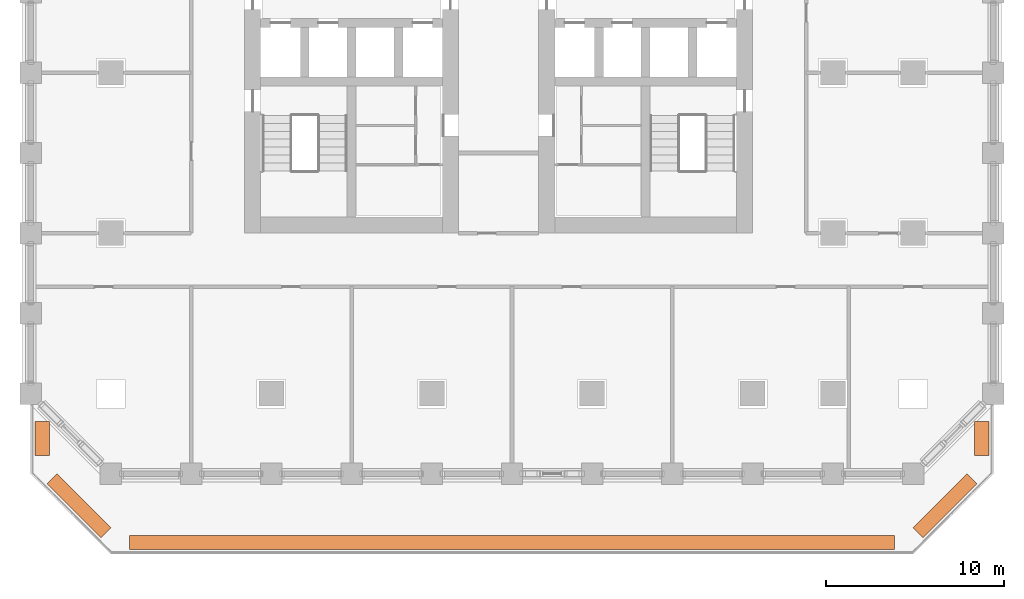
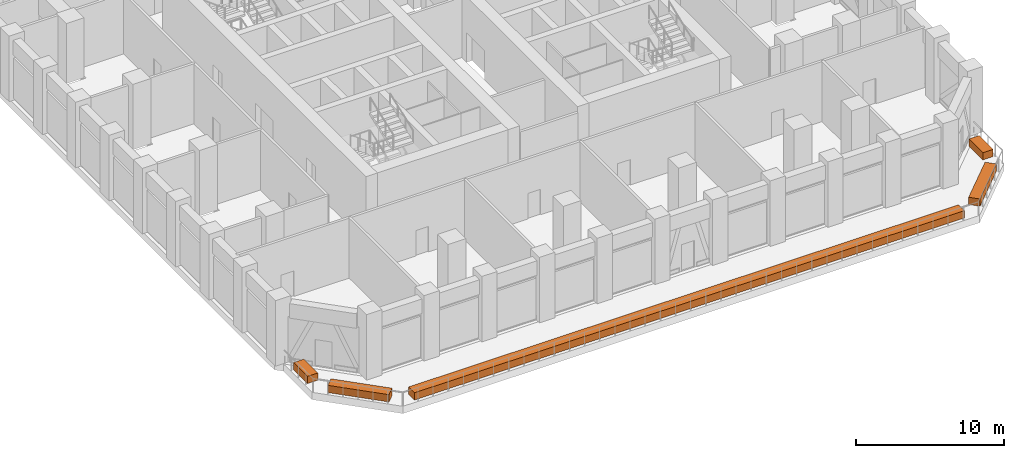
# One storey, part 20 of 20: 5 proxies.
"""IFC4 building model written with IfcOpenShell, lengths in metres."""

import ifcopenshell
import ifcopenshell.guid

model = None  # the IFC model being written
_history = None  # IfcOwnerHistory: only IFC2X3 demands one
_inside = {}  # id of a spatial element -> (the spatial element, [elements in it])
_under = {}  # id of a project, library or spatial element -> (it, [spatial elements below it])
_declared = {}  # id of a project -> (the project, [libraries it declares])
_typed = {}  # id of a type object -> (the type object, [elements of that type])
_made_of = {}  # id of a material, layer set ... -> (it, [elements and type objects made of it])


def new_model(schema):
    """Start an empty IFC model of exactly this schema.

    Asked for "IFC4X3", IfcOpenShell would pick the latest addendum, in which some entities
    have other attributes; the version numbers below select the first issue.
    IFC2X3 requires an IfcOwnerHistory on every rooted entity: one is made here for all.
    """
    global model, _history
    if schema == "IFC4X3":
        model = ifcopenshell.file(schema_version=(4, 3, 0, 0))
    else:
        model = ifcopenshell.file(schema=schema)
    _inside.clear()
    _under.clear()
    _declared.clear()
    _typed.clear()
    _made_of.clear()
    _history = None
    if model.schema == "IFC2X3":
        org = make("IfcOrganization", Name="unknown")
        user = make(
            "IfcPersonAndOrganization",
            ThePerson=make("IfcPerson", FamilyName="unknown"),
            TheOrganization=org,
        )
        app = make(
            "IfcApplication",
            ApplicationDeveloper=org,
            Version="unknown",
            ApplicationFullName="unknown",
            ApplicationIdentifier="unknown",
        )
        _history = make(
            "IfcOwnerHistory",
            OwningUser=user,
            OwningApplication=app,
            ChangeAction="ADDED",
            CreationDate=0,
        )
    return model


def make(cls, **values):
    """One entity of the class cls with the attributes given. An attribute that is None is left unset."""
    return model.create_entity(
        cls, **{name: value for name, value in values.items() if value is not None}
    )


def rooted(cls, **values):
    """An entity with a GlobalId (a new one), such as an element, a storey or a relation."""
    return make(cls, GlobalId=ifcopenshell.guid.new(), OwnerHistory=_history, **values)


def si_unit(unit_type, name, prefix=None):
    """IfcSIUnit, for example si_unit("LENGTHUNIT", "METRE", prefix="MILLI")."""
    return make("IfcSIUnit", UnitType=unit_type, Prefix=prefix, Name=name)


def assignment(units):
    """IfcUnitAssignment: the units of a project."""
    return None if units is None else make("IfcUnitAssignment", Units=units)


def point(xyz):
    """IfcCartesianPoint."""
    return None if xyz is None else make("IfcCartesianPoint", Coordinates=xyz)


def direction(xyz):
    """IfcDirection."""
    return None if xyz is None else make("IfcDirection", DirectionRatios=xyz)


def frame(location, z_axis=None, x_axis=None):
    """IfcAxis2Placement3D, a coordinate frame: its origin and axes. An axis left out is left unset."""
    return make(
        "IfcAxis2Placement3D",
        Location=point(location),
        Axis=direction(z_axis),
        RefDirection=direction(x_axis),
    )


def frame_2d(location, x_axis=None):
    """IfcAxis2Placement2D, a coordinate frame in the plane: its origin and x axis."""
    return make(
        "IfcAxis2Placement2D", Location=point(location), RefDirection=direction(x_axis)
    )


def origin():
    """The frame at (0, 0, 0) with its axes left unset."""
    return frame((0.0, 0.0, 0.0))


def origin_2d():
    """The frame at (0, 0) in the plane with its x axis left unset."""
    return frame_2d((0.0, 0.0))


def place(relative_to, where):
    """IfcLocalPlacement: puts the frame where relative to a parent placement (None: the world)."""
    return make(
        "IfcLocalPlacement", PlacementRelTo=relative_to, RelativePlacement=where
    )


def context(
    kind, dimensions, precision=None, world=None, true_north=None, identifier=None
):
    """IfcGeometricRepresentationContext, for example the 3D "Model" context."""
    return make(
        "IfcGeometricRepresentationContext",
        ContextIdentifier=identifier,
        ContextType=kind,
        CoordinateSpaceDimension=dimensions,
        Precision=precision,
        WorldCoordinateSystem=world,
        TrueNorth=true_north,
    )


def subcontext(parent, identifier, kind, view, scale=None):
    """IfcGeometricRepresentationSubContext, for example "Body" below "Model"."""
    return make(
        "IfcGeometricRepresentationSubContext",
        ContextIdentifier=identifier,
        ContextType=kind,
        ParentContext=parent,
        TargetScale=scale,
        TargetView=view,
    )


def project(units=None, contexts=None):
    """IfcProject with its units and contexts."""
    return rooted(
        "IfcProject",
        Name="project",
        RepresentationContexts=contexts,
        UnitsInContext=assignment(units),
    )


def spatial(cls, under=None, at=None, **own):
    """A site, building, storey or space (cls), placed at a placement, below another one or the project."""
    s = rooted(cls, ObjectPlacement=at, **own)
    if under is not None:
        _under.setdefault(under.id(), (under, []))[1].append(s)
    return s


def profile(cls, at=None, kind="AREA", **sizes):
    """A parametric profile (cls). Its sizes go by their IFC names, for example OverallWidth=200.0."""
    return make(cls, ProfileType=kind, Position=at, **sizes)


def rectangle(**sizes):
    """IfcRectangleProfileDef."""
    return profile("IfcRectangleProfileDef", **sizes)


def extrude(swept, where, along, depth):
    """IfcExtrudedAreaSolid: the profile swept, set in the frame where, extruded along a direction by depth."""
    return make(
        "IfcExtrudedAreaSolid",
        SweptArea=swept,
        Position=where,
        ExtrudedDirection=direction(along),
        Depth=depth,
    )


def shape(context_of_items, identifier, shape_type, items):
    """IfcShapeRepresentation: the items that make up one representation, for example the "Body"."""
    return make(
        "IfcShapeRepresentation",
        ContextOfItems=context_of_items,
        RepresentationIdentifier=identifier,
        RepresentationType=shape_type,
        Items=items,
    )


def material(Name=None, Category=None):
    """IfcMaterial."""
    return make("IfcMaterial", Name=Name, Category=Category)


def made_of(thing, what):
    """Note that an element or type object is made of a material, layer set ...; save() writes the relation."""
    if what is not None:
        _made_of.setdefault(what.id(), (what, []))[1].append(thing)
    return thing


def type_object(cls, material=None, **own):
    """A type object (cls), such as IfcWallType, which elements share."""
    return made_of(rooted(cls, **own), material)


def element(
    cls,
    number,
    at=None,
    inside=None,
    cuts=None,
    type_object=None,
    material=None,
    context=None,
    identifier="Body",
    shape_type=None,
    held_by="IfcProductDefinitionShape",
    body=None,
    shapes=None,
    **own,
):
    """One element of the class cls, such as IfcWall. Its Tag is "e" and its number.

    at: its placement. inside: the storey or other place that contains it. cuts: it is an
    opening in that element (IfcRelVoidsElement). A single representation is given by context,
    identifier, shape_type and body (its items); several are given by shapes. held_by: the class
    of the entity that holds the representations. save() writes the other relations.
    """
    e = rooted(cls, Tag="e%d" % number, ObjectPlacement=at, **own)
    if body is not None:
        shapes = [shape(context, identifier, shape_type, body)]
    if shapes is not None:
        e.Representation = make(held_by, Representations=shapes)
    if inside is not None:
        _inside.setdefault(inside.id(), (inside, []))[1].append(e)
    if cuts is not None:
        rooted(
            "IfcRelVoidsElement", RelatingBuildingElement=cuts, RelatedOpeningElement=e
        )
    if type_object is not None:
        _typed.setdefault(type_object.id(), (type_object, []))[1].append(e)
    return made_of(e, material)


def aggregate(whole, parts):
    """IfcRelAggregates: a whole, such as a stair, and the parts it consists of."""
    return rooted("IfcRelAggregates", RelatingObject=whole, RelatedObjects=parts)


def save(model, path):
    """Write the relations noted so far, then the file.

    IfcRelAggregates (storeys below a building ...), IfcRelContainedInSpatialStructure (elements
    in a storey), IfcRelDefinesByType, IfcRelAssociatesMaterial and IfcRelDeclares: one each for
    every whole, place, type object, material and project.
    """
    for whole, parts in _under.values():
        aggregate(whole, parts)
    for where, things in _inside.values():
        rooted(
            "IfcRelContainedInSpatialStructure",
            RelatedElements=things,
            RelatingStructure=where,
        )
    for kind, things in _typed.values():
        rooted("IfcRelDefinesByType", RelatedObjects=things, RelatingType=kind)
    for what, things in _made_of.values():
        rooted("IfcRelAssociatesMaterial", RelatedObjects=things, RelatingMaterial=what)
    for by, libraries in _declared.values():
        rooted("IfcRelDeclares", RelatingContext=by, RelatedDefinitions=libraries)
    model.write(path)


model = new_model("IFC4")

# Units and contexts
model_context = context("Model", 3, precision=1e-05, world=origin(), true_north=direction((0.0, 1.0)))
body_context = subcontext(model_context, "Body", "Model", "MODEL_VIEW")
ifc_project = project(units=[si_unit("LENGTHUNIT", "METRE"), si_unit("AREAUNIT", "SQUARE_METRE"), si_unit("VOLUMEUNIT", "CUBIC_METRE"), si_unit("PLANEANGLEUNIT", "RADIAN"), si_unit("MASSUNIT", "GRAM", prefix="KILO")], contexts=[model_context])

# Site, building, storey
site_placement = place(None, origin())
site = spatial("IfcSite", under=ifc_project, at=site_placement, CompositionType="ELEMENT")
building_placement = place(site_placement, origin())
building = spatial("IfcBuilding", under=site, at=building_placement, Name="Corbel Stack Research Tower", CompositionType="ELEMENT")
storey_placement = place(building_placement, frame((0.0, 0.0, 76.60009765625)))
storey = spatial("IfcBuildingStorey", under=building, at=storey_placement, Name="L17", CompositionType="ELEMENT", Elevation=76.60009765625)

# Proxies
ifc_material = material(Name="Concrete C45/55", Category="concrete")
building_element_proxy_type = type_object("IfcBuildingElementProxyType", Name="Terrace planter bed", PredefinedType="USERDEFINED", material=ifc_material)
proxy_1_placement = place(storey_placement, frame((30.85009765625, -20.516357421875, -0.000244140625), z_axis=(0.0, 0.0, 1.0), x_axis=(0.0, -1.0, 0.0)))
element("IfcBuildingElementProxy", 1, at=proxy_1_placement, inside=storey, type_object=building_element_proxy_type, Name="Terrace planter bed L17", ObjectType="PLANTER", PredefinedType="USERDEFINED", context=body_context, shape_type="SweptSolid", body=[
    extrude(rectangle(XDim=1.88427734375, YDim=0.800048828125, at=origin_2d()), origin(), (0.0, 0.0, 1.0), 0.60009765625),
])
proxy_2_placement = place(storey_placement, frame((28.790283203125, -24.290283203125, -0.000244140625), z_axis=(0.0, 0.0, 1.0), x_axis=(-0.707106781187, -0.707106781187, 0.0)))
element("IfcBuildingElementProxy", 2, at=proxy_2_placement, inside=storey, type_object=building_element_proxy_type, Name="Terrace planter bed L17", ObjectType="PLANTER", PredefinedType="USERDEFINED", context=body_context, shape_type="SweptSolid", body=[
    extrude(rectangle(XDim=4.281005859375, YDim=0.800048828125, at=origin_2d()), origin(), (0.0, 0.0, 1.0), 0.60009765625),
])
proxy_3_placement = place(storey_placement, frame((4.5, -26.35009765625, -0.000244140625), z_axis=(0.0, 0.0, 1.0), x_axis=(-1.0, 0.0, 0.0)))
element("IfcBuildingElementProxy", 3, at=proxy_3_placement, inside=storey, type_object=building_element_proxy_type, Name="Terrace planter bed L17", ObjectType="PLANTER", PredefinedType="USERDEFINED", context=body_context, shape_type="SweptSolid", body=[
    extrude(rectangle(XDim=42.917236328125, YDim=0.800048828125, at=origin_2d()), origin(), (0.0, 0.0, 1.0), 0.60009765625),
])
proxy_4_placement = place(storey_placement, frame((-19.790283203125, -24.290283203125, -0.000244140625), z_axis=(0.0, 0.0, 1.0), x_axis=(-0.707106781187, 0.707106781187, 0.0)))
element("IfcBuildingElementProxy", 4, at=proxy_4_placement, inside=storey, type_object=building_element_proxy_type, Name="Terrace planter bed L17", ObjectType="PLANTER", PredefinedType="USERDEFINED", context=body_context, shape_type="SweptSolid", body=[
    extrude(rectangle(XDim=4.281005859375, YDim=0.800048828125, at=origin_2d()), origin(), (0.0, 0.0, 1.0), 0.60009765625),
])
proxy_5_placement = place(storey_placement, frame((-21.85009765625, -20.516357421875, -0.000244140625), z_axis=(0.0, 0.0, 1.0), x_axis=(0.0, 1.0, 0.0)))
element("IfcBuildingElementProxy", 5, at=proxy_5_placement, inside=storey, type_object=building_element_proxy_type, Name="Terrace planter bed L17", ObjectType="PLANTER", PredefinedType="USERDEFINED", context=body_context, shape_type="SweptSolid", body=[
    extrude(rectangle(XDim=1.88427734375, YDim=0.800048828125, at=origin_2d()), origin(), (0.0, 0.0, 1.0), 0.60009765625),
])

save(model, "model.ifc")
